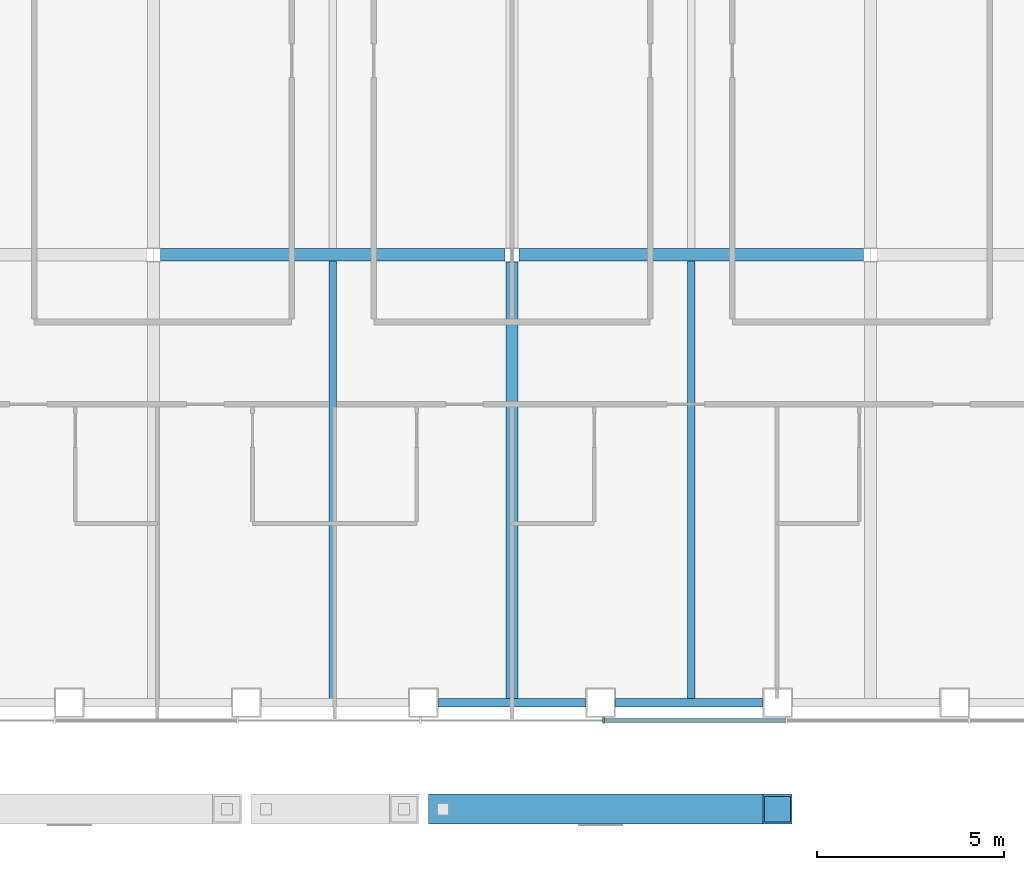
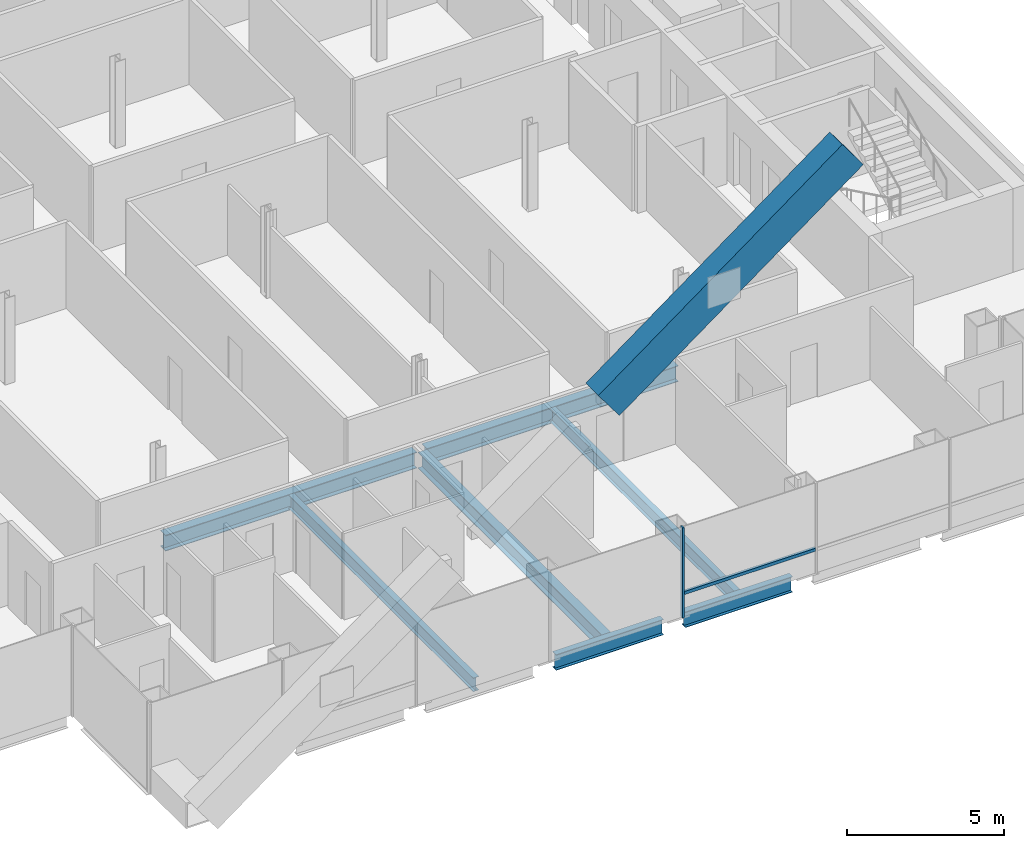
# One storey, part 4 of 17: 7 beams, 3 members, 1 element without a shape of its own.
"""IFC4 building model written with IfcOpenShell, lengths in metres."""

from ifc_helpers import new_model, si_unit, direction, frame, origin, origin_2d, place, context, subcontext, project, spatial, rectangle, hollow_rectangle, i_section, extrude, material, material_profile, profile_set, type_object, element, aggregate, save


model = new_model("IFC4")

# Units and contexts
model_context = context("Model", 3, precision=1e-05, world=origin(), true_north=direction((0.0, 1.0)))
body_context = subcontext(model_context, "Body", "Model", "MODEL_VIEW")
ifc_project = project(units=[si_unit("LENGTHUNIT", "METRE"), si_unit("AREAUNIT", "SQUARE_METRE"), si_unit("VOLUMEUNIT", "CUBIC_METRE"), si_unit("PLANEANGLEUNIT", "RADIAN"), si_unit("MASSUNIT", "GRAM", prefix="KILO")], contexts=[model_context])

# Site, building, storey
site_placement = place(None, origin())
site = spatial("IfcSite", under=ifc_project, at=site_placement, CompositionType="ELEMENT")
building_placement = place(site_placement, origin())
building = spatial("IfcBuilding", under=site, at=building_placement, Name="Cobrizo Arcos Hotel Tower", CompositionType="ELEMENT")
storey_placement = place(building_placement, frame((0.0, 0.0, 151.5)))
storey = spatial("IfcBuildingStorey", under=building, at=storey_placement, Name="L38", CompositionType="ELEMENT", Elevation=151.5)

# Member
ifc_material_1 = material(Name="Steel ASTM A572 Grade 50", Category="steel")
ifc_material_profile_1 = material_profile(ifc_material_1, hollow_rectangle(XDim=0.800048828125, YDim=1.300048828125, WallThickness=0.06005859375, at=origin_2d()), Name="BOX 800X1300X60")
ifc_profile_set_1 = profile_set([ifc_material_profile_1], Name="Steel ASTM A572 Grade 50")
member_type_1 = type_object("IfcMemberType", Name="BOX 800X1300X60 perimeter brace", PredefinedType="BRACE", material=ifc_profile_set_1)
member_1_placement = place(storey_placement, frame((-1.84814453125, -24.449951171875, 11.385986328125), z_axis=(0.804620954099, 0.0, 0.593788784186), x_axis=(0.0, 1.0, 0.0)))
element("IfcMember", 1, at=member_1_placement, inside=storey, type_object=member_type_1, Name="Perimeter brace PBR3, zone Z3, south face, no. 06c", PredefinedType="BRACE", context=body_context, shape_type="SweptSolid", body=[
    extrude(hollow_rectangle(XDim=0.800048828125, YDim=1.300048828125, WallThickness=0.06005859375, at=origin_2d()), origin(), (0.0, 0.0, 1.0), 11.138671875),
])

# Curtain wall, members
ifc_material_2 = material(Name="Aluminium 6063-T6 anodised bronze", Category="aluminium")
curtain_wall_type = type_object("IfcCurtainWallType", Name="CW-A guest facade", PredefinedType="NOTDEFINED", material=ifc_material_2)
curtain_wall_placement = place(storey_placement, origin())
curtain_wall = element("IfcCurtainWall", 2, at=curtain_wall_placement, inside=storey, type_object=curtain_wall_type, Name="CW-A L38 S face", PredefinedType="NOTDEFINED")
ifc_material_profile_2 = material_profile(ifc_material_2, rectangle(XDim=0.14990234375, YDim=0.06005859375, at=origin_2d()), Name="CW-A mullion 150x60")
ifc_profile_set_2 = profile_set([ifc_material_profile_2], Name="Aluminium 6063-T6 anodised bronze")
member_type_2 = type_object("IfcMemberType", Name="CW-A mullion 150x60", PredefinedType="MULLION", material=ifc_profile_set_2)
member_2_placement = place(storey_placement, frame((2.449951171875, -22.074951171875, 0.0), z_axis=(0.0, 0.0, 1.0), x_axis=(0.0, -1.0, 0.0)))
member_2 = element("IfcMember", 3, at=member_2_placement, type_object=member_type_2, Name="CW-A mullion 5", PredefinedType="MULLION", context=body_context, shape_type="SweptSolid", body=[
    extrude(rectangle(XDim=0.14990234375, YDim=0.06005859375, at=origin_2d()), origin(), (0.0, 0.0, 1.0), 3.5),
])
ifc_material_profile_3 = material_profile(ifc_material_2, rectangle(XDim=0.10009765625, YDim=0.1201171875, at=origin_2d()), Name="CW-A transom 120x100")
ifc_profile_set_3 = profile_set([ifc_material_profile_3], Name="Aluminium 6063-T6 anodised bronze")
member_type_3 = type_object("IfcMemberType", Name="CW-A transom 120x100", PredefinedType="USERDEFINED", material=ifc_profile_set_3)
member_3_placement = place(storey_placement, frame((2.47998046875, -22.074951171875, 0.929931640625), z_axis=(1.0, 0.0, 0.0), x_axis=(0.0, 1.0, 0.0)))
member_3 = element("IfcMember", 4, at=member_3_placement, type_object=member_type_3, Name="CW-A transom 1370", ObjectType="TRANSOM", PredefinedType="USERDEFINED", context=body_context, shape_type="SweptSolid", body=[
    extrude(rectangle(XDim=0.10009765625, YDim=0.1201171875, at=origin_2d()), origin(), (0.0, 0.0, 1.0), 4.840087890625),
])
aggregate(curtain_wall, [member_2, member_3])

# Beams
ifc_material_3 = material(Name="Steel ASTM A992 Grade 50", Category="steel")
ifc_material_profile_4 = material_profile(ifc_material_3, i_section(OverallWidth=0.209228515625, OverallDepth=0.533447265625, WebThickness=0.01025390625, FlangeThickness=0.015625, at=origin_2d()), Name="W21X62")
ifc_profile_set_4 = profile_set([ifc_material_profile_4], Name="Steel ASTM A992 Grade 50")
beam_type_1 = type_object("IfcBeamType", Name="W21X62 joist", PredefinedType="JOIST", material=ifc_profile_set_4)
for number, where, z_axis, x_axis, name in (
    (5, (-4.800048828125, -21.510009765625, -0.416748046875), (0.0, 1.0, 0.0), (-1.0, 0.0, 0.0), "Floor joist J1, L38, no. 007"),
    (6, (4.800048828125, -21.510009765625, -0.416748046875), (0.0, 1.0, 0.0), (-1.0, 0.0, 0.0), "Floor joist J1, L38, no. 011"),
):
    element("IfcBeam", number, at=place(storey_placement, frame(where, z_axis=z_axis, x_axis=x_axis)), inside=storey, type_object=beam_type_1, Name=name, PredefinedType="JOIST", context=body_context, shape_type="SweptSolid", body=[
        extrude(i_section(OverallWidth=0.209228515625, OverallDepth=0.533447265625, WebThickness=0.01025390625, FlangeThickness=0.015625, at=origin_2d()), origin(), (0.0, 0.0, 1.0), 11.74609375),
    ])
ifc_material_profile_5 = material_profile(ifc_material_3, i_section(OverallWidth=0.32763671875, OverallDepth=0.622314453125, WebThickness=0.015380859375, FlangeThickness=0.0244140625, at=origin_2d()), Name="W24X131")
ifc_profile_set_5 = profile_set([ifc_material_profile_5], Name="Steel ASTM A992 Grade 50")
beam_type_2 = type_object("IfcBeamType", Name="W24X131 girder", PredefinedType="BEAM", material=ifc_profile_set_5)
for number, where, z_axis, x_axis, name in (
    (7, (-9.413330078125, -9.60009765625, -0.461181640625), (1.0, 0.0, 0.0), (0.0, 1.0, 0.0), "Floor girder G1, L38, no. 002"),
    (8, (0.186767578125, -9.60009765625, -0.461181640625), (1.0, 0.0, 0.0), (0.0, 1.0, 0.0), "Floor girder G1, L38, no. 003"),
):
    element("IfcBeam", number, at=place(storey_placement, frame(where, z_axis=z_axis, x_axis=x_axis)), inside=storey, type_object=beam_type_2, Name=name, PredefinedType="BEAM", context=body_context, shape_type="SweptSolid", body=[
        extrude(i_section(OverallWidth=0.32763671875, OverallDepth=0.622314453125, WebThickness=0.015380859375, FlangeThickness=0.0244140625, at=origin_2d()), origin(), (0.0, 0.0, 1.0), 9.2265625),
    ])
beam_1_placement = place(storey_placement, frame((0.0, -21.510009765625, -0.461181640625), z_axis=(0.0, 1.0, 0.0), x_axis=(-1.0, 0.0, 0.0)))
element("IfcBeam", 9, at=beam_1_placement, inside=storey, type_object=beam_type_2, Name="Floor girder G1, L38, no. 017", PredefinedType="BEAM", context=body_context, shape_type="SweptSolid", body=[
    extrude(i_section(OverallWidth=0.32763671875, OverallDepth=0.622314453125, WebThickness=0.015380859375, FlangeThickness=0.0244140625, at=origin_2d()), origin(), (0.0, 0.0, 1.0), 11.723388671875),
])
ifc_material_profile_6 = material_profile(ifc_material_3, i_section(OverallWidth=0.228271484375, OverallDepth=0.607177734375, WebThickness=0.01123046875, FlangeThickness=0.017333984375, at=origin_2d()), Name="W24X76")
ifc_profile_set_6 = profile_set([ifc_material_profile_6], Name="Steel ASTM A992 Grade 50")
beam_type_3 = type_object("IfcBeamType", Name="W24X76 spandrel", PredefinedType="SPANDREL", material=ifc_profile_set_6)
beam_2_placement = place(storey_placement, frame((-1.970947265625, -21.60009765625, -0.45361328125), z_axis=(1.0, 0.0, 0.0), x_axis=(0.0, 1.0, 0.0)))
element("IfcBeam", 10, at=beam_2_placement, inside=storey, type_object=beam_type_3, Name="Spandrel beam W24X76, L38, no. 004", PredefinedType="SPANDREL", context=body_context, shape_type="SweptSolid", body=[
    extrude(i_section(OverallWidth=0.228271484375, OverallDepth=0.607177734375, WebThickness=0.01123046875, FlangeThickness=0.017333984375, at=origin_2d()), origin(), (0.0, 0.0, 1.0), 3.94189453125),
])
beam_3_placement = place(storey_placement, frame((2.77099609375, -21.60009765625, -0.45361328125), z_axis=(1.0, 0.0, 0.0), x_axis=(0.0, 1.0, 0.0)))
element("IfcBeam", 11, at=beam_3_placement, inside=storey, type_object=beam_type_3, Name="Spandrel beam W24X76, L38, no. 005", PredefinedType="SPANDREL", context=body_context, shape_type="SweptSolid", body=[
    extrude(i_section(OverallWidth=0.228271484375, OverallDepth=0.607177734375, WebThickness=0.01123046875, FlangeThickness=0.017333984375, at=origin_2d()), origin(), (0.0, 0.0, 1.0), 3.943115234375),
])

save(model, "model.ifc")
